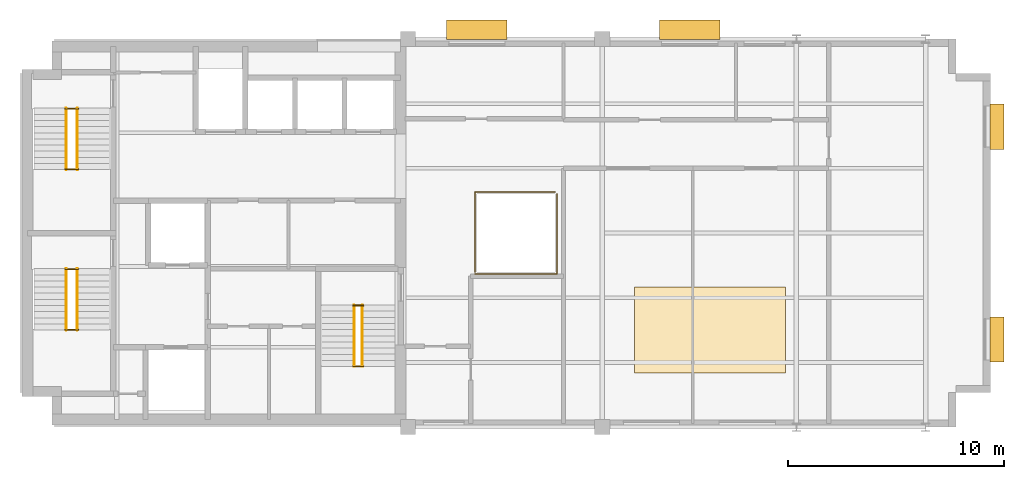
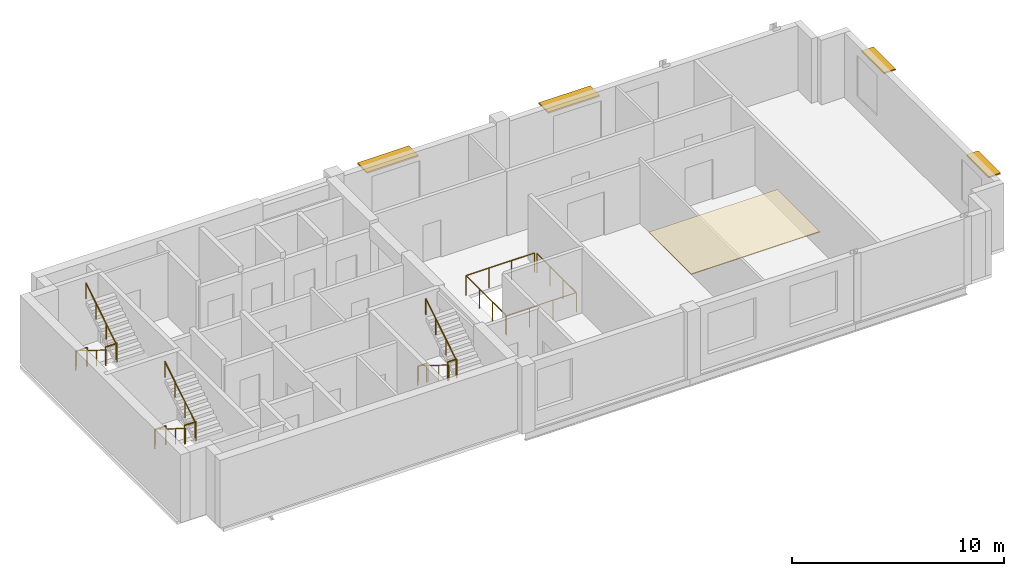
# One storey, part 5 of 5: 14 railings, 4 shading devices, 1 covering.
"""IFC4 building model written with IfcOpenShell, lengths in metres."""

from ifc_helpers import new_model, si_unit, direction, frame, origin, origin_2d, place, context, subcontext, project, spatial, polyline, rectangle, circle, outline, extrude, material, layer, layer_set, type_object, element, save


model = new_model("IFC4")

# Units and contexts
model_context = context("Model", 3, precision=1e-05, world=origin(), true_north=direction((0.0, 1.0)))
body_context = subcontext(model_context, "Body", "Model", "MODEL_VIEW")
ifc_project = project(units=[si_unit("LENGTHUNIT", "METRE"), si_unit("AREAUNIT", "SQUARE_METRE"), si_unit("VOLUMEUNIT", "CUBIC_METRE"), si_unit("PLANEANGLEUNIT", "RADIAN"), si_unit("MASSUNIT", "GRAM", prefix="KILO")], contexts=[model_context])

# Site, building, storey
site_placement = place(None, origin())
site = spatial("IfcSite", under=ifc_project, at=site_placement, CompositionType="ELEMENT")
building_placement = place(site_placement, origin())
building = spatial("IfcBuilding", under=site, at=building_placement, Name="Mawjdan Bourse Tower", CompositionType="ELEMENT")
storey_placement = place(building_placement, frame((0.0, 0.0, 301.5)))
storey = spatial("IfcBuildingStorey", under=building, at=storey_placement, Name="L74", CompositionType="ELEMENT", Elevation=301.5)

# Covering
ifc_material_1 = material(Name="Perforated Mineral-Fibre Acoustic Ceiling")
ifc_layer_1 = layer(ifc_material_1, 0.044921875)
ifc_layer_set_1 = layer_set([ifc_layer_1], Name="Perforated Mineral-Fibre Acoustic Ceiling")
covering_type = type_object("IfcCoveringType", Name="COV-CLG-AC", PredefinedType="CEILING", material=ifc_layer_set_1)
covering_placement = place(storey_placement, frame((0.0, 0.0, 3.669921875)))
element("IfcCovering", 1, at=covering_placement, inside=storey, type_object=covering_type, Name="L74 Suspended Acoustic Ceiling", PredefinedType="CEILING", context=body_context, shape_type="SweptSolid", body=[
    extrude(outline(polyline([(34.5, 5.5), (41.5, 5.5), (41.5, 9.5), (34.5, 9.5), (34.5, 5.5)])), origin(), (0.0, 0.0, 1.0), 0.045166015625),
])

# Railings
ifc_material_2 = material(Name="Stainless Steel and Laminated Glass", Category="steel")
railing_type_1 = type_object("IfcRailingType", Name="RLG-BAL-1150", PredefinedType="BALUSTRADE", material=ifc_material_2)
railing_1_placement = place(storey_placement, frame((27.10009765625, 10.10009765625, 0.0)))
element("IfcRailing", 2, at=railing_1_placement, inside=storey, type_object=railing_type_1, Name="L74 Summit Atrium Lightwell Balustrade SE", PredefinedType="BALUSTRADE", context=body_context, shape_type="SweptSolid", body=[
    extrude(circle(Radius=0.02685546875, at=origin_2d()), frame((0.0, 0.0, 1.123046875), z_axis=(1.0, 0.0, 0.0), x_axis=(0.0, 1.0, 0.0)), (0.0, 0.0, 1.0), 3.7998046875),
    extrude(circle(Radius=0.02685546875, at=origin_2d()), frame((3.7998046875, 0.0, 1.123046875), z_axis=(0.0, 1.0, 0.0), x_axis=(-1.0, 0.0, 0.0)), (0.0, 0.0, 1.0), 3.719970703125),
    extrude(circle(Radius=0.02294921875, at=origin_2d()), origin(), (0.0, 0.0, 1.0), 1.095947265625),
    extrude(circle(Radius=0.02294921875, at=origin_2d()), frame((1.2666015625, 0.0, 0.0)), (0.0, 0.0, 1.0), 1.095947265625),
    extrude(circle(Radius=0.02294921875, at=origin_2d()), frame((2.533203125, 0.0, 0.0)), (0.0, 0.0, 1.0), 1.095947265625),
    extrude(circle(Radius=0.02294921875, at=origin_2d()), frame((3.7998046875, 0.0, 0.0)), (0.0, 0.0, 1.0), 1.095947265625),
    extrude(circle(Radius=0.02294921875, at=origin_2d()), frame((3.7998046875, 1.239990234375, 0.0)), (0.0, 0.0, 1.0), 1.095947265625),
    extrude(circle(Radius=0.02294921875, at=origin_2d()), frame((3.7998046875, 2.47998046875, 0.0)), (0.0, 0.0, 1.0), 1.095947265625),
    extrude(circle(Radius=0.02294921875, at=origin_2d()), frame((3.7998046875, 3.719970703125, 0.0)), (0.0, 0.0, 1.0), 1.095947265625),
])
railing_2_placement = place(storey_placement, frame((30.820068359375, 13.89990234375, 0.0)))
element("IfcRailing", 3, at=railing_2_placement, inside=storey, type_object=railing_type_1, Name="L74 Summit Atrium Lightwell Balustrade NW", PredefinedType="BALUSTRADE", context=body_context, shape_type="SweptSolid", body=[
    extrude(circle(Radius=0.02685546875, at=origin_2d()), frame((0.0, 0.0, 1.123046875), z_axis=(-1.0, 0.0, 0.0), x_axis=(0.0, -1.0, 0.0)), (0.0, 0.0, 1.0), 3.719970703125),
    extrude(circle(Radius=0.02685546875, at=origin_2d()), frame((-3.719970703125, 0.0, 1.123046875), z_axis=(0.0, -1.0, 0.0), x_axis=(1.0, 0.0, 0.0)), (0.0, 0.0, 1.0), 3.719970703125),
    extrude(circle(Radius=0.02294921875, at=origin_2d()), origin(), (0.0, 0.0, 1.0), 1.095947265625),
    extrude(circle(Radius=0.02294921875, at=origin_2d()), frame((-1.239990234375, 0.0, 0.0)), (0.0, 0.0, 1.0), 1.095947265625),
    extrude(circle(Radius=0.02294921875, at=origin_2d()), frame((-2.47998046875, 0.0, 0.0)), (0.0, 0.0, 1.0), 1.095947265625),
    extrude(circle(Radius=0.02294921875, at=origin_2d()), frame((-3.719970703125, 0.0, 0.0)), (0.0, 0.0, 1.0), 1.095947265625),
    extrude(circle(Radius=0.02294921875, at=origin_2d()), frame((-3.719970703125, -1.239990234375, 0.0)), (0.0, 0.0, 1.0), 1.095947265625),
    extrude(circle(Radius=0.02294921875, at=origin_2d()), frame((-3.719970703125, -2.47998046875, 0.0)), (0.0, 0.0, 1.0), 1.095947265625),
    extrude(circle(Radius=0.02294921875, at=origin_2d()), frame((-3.719970703125, -3.719970703125, 0.0)), (0.0, 0.0, 1.0), 1.095947265625),
])
ifc_material_3 = material(Name="Structural Steel S355", Category="steel")
railing_type_2 = type_object("IfcRailingType", Name="RLG-GRD-1100", PredefinedType="GUARDRAIL", material=ifc_material_3)
for number, where, name in (
    (4, (8.090087890625, 7.52001953125, 1.949951171875), "L74 ST1 Landing Guardrail GL-MID"),
    (5, (8.090087890625, 10.330078125, 0.0), "L74 ST1 Landing Guardrail GL-BOT"),
    (6, (8.090087890625, 14.9599609375, 1.949951171875), "L74 ST2 Landing Guardrail GL-MID"),
    (7, (8.090087890625, 17.77001953125, 0.0), "L74 ST2 Landing Guardrail GL-BOT"),
):
    element("IfcRailing", number, at=place(storey_placement, frame(where)), inside=storey, type_object=railing_type_2, Name=name, PredefinedType="GUARDRAIL", context=body_context, shape_type="SweptSolid", body=[
        extrude(circle(Radius=0.02490234375, at=origin_2d()), frame((0.0, 0.0, 1.0751953125), z_axis=(1.0, 0.0, 0.0), x_axis=(0.0, 1.0, 0.0)), (0.0, 0.0, 1.0), 0.619873046875),
        extrude(circle(Radius=0.02099609375, at=origin_2d()), origin(), (0.0, 0.0, 1.0), 1.050048828125),
        extrude(circle(Radius=0.02099609375, at=origin_2d()), frame((0.619873046875, 0.0, 0.0)), (0.0, 0.0, 1.0), 1.050048828125),
    ])
for number, where, name in (
    (8, (21.43994140625, 5.830078125, 1.949951171875), "L74 ST7 Landing Guardrail GL-MID"),
    (9, (21.43994140625, 8.639892578125, 0.0), "L74 ST7 Landing Guardrail GL-BOT"),
):
    element("IfcRailing", number, at=place(storey_placement, frame(where)), inside=storey, type_object=railing_type_2, Name=name, PredefinedType="GUARDRAIL", context=body_context, shape_type="SweptSolid", body=[
        extrude(circle(Radius=0.02490234375, at=origin_2d()), frame((0.0, 0.0, 1.0751953125), z_axis=(1.0, 0.0, 0.0), x_axis=(0.0, 1.0, 0.0)), (0.0, 0.0, 1.0), 0.489990234375),
        extrude(circle(Radius=0.02099609375, at=origin_2d()), origin(), (0.0, 0.0, 1.0), 1.050048828125),
        extrude(circle(Radius=0.02099609375, at=origin_2d()), frame((0.489990234375, 0.0, 0.0)), (0.0, 0.0, 1.0), 1.050048828125),
    ])
ifc_material_4 = material(Name="Brushed Stainless Steel", Category="steel")
railing_type_3 = type_object("IfcRailingType", Name="RLG-HND-920", PredefinedType="HANDRAIL", material=ifc_material_4)
railing_3_placement = place(storey_placement, frame((8.139892578125, 10.35009765625, 0.17724609375)))
element("IfcRailing", 10, at=railing_3_placement, inside=storey, type_object=railing_type_3, Name="L74 ST1 Flight Handrail HR1", PredefinedType="HANDRAIL", context=body_context, shape_type="SweptSolid", body=[
    extrude(circle(Radius=0.0224609375, at=origin_2d()), frame((0.0, 0.0, 0.8974609375), z_axis=(0.0, -0.849148672731, 0.528153890072), x_axis=(1.0, 0.0, 0.0)), (0.0, 0.0, 1.0), 3.3564453125),
    extrude(circle(Radius=0.01904296875, at=origin_2d()), origin(), (0.0, 0.0, 1.0), 0.875),
    extrude(circle(Radius=0.01904296875, at=origin_2d()), frame((0.0, -0.949951171875, 0.5908203125)), (0.0, 0.0, 1.0), 0.875),
    extrude(circle(Radius=0.01904296875, at=origin_2d()), frame((0.0, -1.900146484375, 1.181884765625)), (0.0, 0.0, 1.0), 0.875),
    extrude(circle(Radius=0.01904296875, at=origin_2d()), frame((0.0, -2.85009765625, 1.772705078125)), (0.0, 0.0, 1.0), 0.875),
])
railing_4_placement = place(storey_placement, frame((8.659912109375, 7.5, 2.127197265625)))
element("IfcRailing", 11, at=railing_4_placement, inside=storey, type_object=railing_type_3, Name="L74 ST1 Flight Handrail HR2", PredefinedType="HANDRAIL", context=body_context, shape_type="SweptSolid", body=[
    extrude(circle(Radius=0.0224609375, at=origin_2d()), frame((0.0, 0.0, 0.8974609375), z_axis=(0.0, 0.849148672731, 0.528153890072), x_axis=(-1.0, 0.0, 0.0)), (0.0, 0.0, 1.0), 3.3564453125),
    extrude(circle(Radius=0.01904296875, at=origin_2d()), origin(), (0.0, 0.0, 1.0), 0.875),
    extrude(circle(Radius=0.01904296875, at=origin_2d()), frame((0.0, 0.949951171875, 0.5908203125)), (0.0, 0.0, 1.0), 0.875),
    extrude(circle(Radius=0.01904296875, at=origin_2d()), frame((0.0, 1.900146484375, 1.181884765625)), (0.0, 0.0, 1.0), 0.875),
    extrude(circle(Radius=0.01904296875, at=origin_2d()), frame((0.0, 2.85009765625, 1.772705078125)), (0.0, 0.0, 1.0), 0.875),
])
railing_5_placement = place(storey_placement, frame((8.139892578125, 17.7900390625, 0.17724609375)))
element("IfcRailing", 12, at=railing_5_placement, inside=storey, type_object=railing_type_3, Name="L74 ST2 Flight Handrail HR1", PredefinedType="HANDRAIL", context=body_context, shape_type="SweptSolid", body=[
    extrude(circle(Radius=0.0224609375, at=origin_2d()), frame((0.0, 0.0, 0.8974609375), z_axis=(0.0, -0.849148672731, 0.528153890072), x_axis=(1.0, 0.0, 0.0)), (0.0, 0.0, 1.0), 3.3564453125),
    extrude(circle(Radius=0.01904296875, at=origin_2d()), origin(), (0.0, 0.0, 1.0), 0.875),
    extrude(circle(Radius=0.01904296875, at=origin_2d()), frame((0.0, -0.949951171875, 0.5908203125)), (0.0, 0.0, 1.0), 0.875),
    extrude(circle(Radius=0.01904296875, at=origin_2d()), frame((0.0, -1.900146484375, 1.181884765625)), (0.0, 0.0, 1.0), 0.875),
    extrude(circle(Radius=0.01904296875, at=origin_2d()), frame((0.0, -2.85009765625, 1.772705078125)), (0.0, 0.0, 1.0), 0.875),
])
railing_6_placement = place(storey_placement, frame((8.659912109375, 14.93994140625, 2.127197265625)))
element("IfcRailing", 13, at=railing_6_placement, inside=storey, type_object=railing_type_3, Name="L74 ST2 Flight Handrail HR2", PredefinedType="HANDRAIL", context=body_context, shape_type="SweptSolid", body=[
    extrude(circle(Radius=0.0224609375, at=origin_2d()), frame((0.0, 0.0, 0.8974609375), z_axis=(0.0, 0.849148672731, 0.528153890072), x_axis=(-1.0, 0.0, 0.0)), (0.0, 0.0, 1.0), 3.3564453125),
    extrude(circle(Radius=0.01904296875, at=origin_2d()), origin(), (0.0, 0.0, 1.0), 0.875),
    extrude(circle(Radius=0.01904296875, at=origin_2d()), frame((0.0, 0.949951171875, 0.5908203125)), (0.0, 0.0, 1.0), 0.875),
    extrude(circle(Radius=0.01904296875, at=origin_2d()), frame((0.0, 1.900146484375, 1.181884765625)), (0.0, 0.0, 1.0), 0.875),
    extrude(circle(Radius=0.01904296875, at=origin_2d()), frame((0.0, 2.85009765625, 1.772705078125)), (0.0, 0.0, 1.0), 0.875),
])
railing_7_placement = place(storey_placement, frame((21.489990234375, 8.659912109375, 0.17724609375)))
element("IfcRailing", 14, at=railing_7_placement, inside=storey, type_object=railing_type_3, Name="L74 ST7 Flight Handrail HR1", PredefinedType="HANDRAIL", context=body_context, shape_type="SweptSolid", body=[
    extrude(circle(Radius=0.0224609375, at=origin_2d()), frame((0.0, 0.0, 0.8974609375), z_axis=(0.0, -0.849128380713, 0.528186513523), x_axis=(1.0, 0.0, 0.0)), (0.0, 0.0, 1.0), 3.356201171875),
    extrude(circle(Radius=0.01904296875, at=origin_2d()), origin(), (0.0, 0.0, 1.0), 0.875),
    extrude(circle(Radius=0.01904296875, at=origin_2d()), frame((0.0, -0.949951171875, 0.5908203125)), (0.0, 0.0, 1.0), 0.875),
    extrude(circle(Radius=0.01904296875, at=origin_2d()), frame((0.0, -1.89990234375, 1.181884765625)), (0.0, 0.0, 1.0), 0.875),
    extrude(circle(Radius=0.01904296875, at=origin_2d()), frame((0.0, -2.849853515625, 1.772705078125)), (0.0, 0.0, 1.0), 0.875),
])
railing_8_placement = place(storey_placement, frame((21.8798828125, 5.81005859375, 2.127197265625)))
element("IfcRailing", 15, at=railing_8_placement, inside=storey, type_object=railing_type_3, Name="L74 ST7 Flight Handrail HR2", PredefinedType="HANDRAIL", context=body_context, shape_type="SweptSolid", body=[
    extrude(circle(Radius=0.0224609375, at=origin_2d()), frame((0.0, 0.0, 0.8974609375), z_axis=(0.0, 0.849128380713, 0.528186513523), x_axis=(-1.0, 0.0, 0.0)), (0.0, 0.0, 1.0), 3.356201171875),
    extrude(circle(Radius=0.01904296875, at=origin_2d()), origin(), (0.0, 0.0, 1.0), 0.875),
    extrude(circle(Radius=0.01904296875, at=origin_2d()), frame((0.0, 0.949951171875, 0.5908203125)), (0.0, 0.0, 1.0), 0.875),
    extrude(circle(Radius=0.01904296875, at=origin_2d()), frame((0.0, 1.89990234375, 1.181884765625)), (0.0, 0.0, 1.0), 0.875),
    extrude(circle(Radius=0.01904296875, at=origin_2d()), frame((0.0, 2.849853515625, 1.772705078125)), (0.0, 0.0, 1.0), 0.875),
])

# Shading devices
ifc_material_5 = material(Name="Bronze Anodised Aluminium", Category="aluminium")
ifc_layer_2 = layer(ifc_material_5, 0.074951171875)
ifc_layer_set_2 = layer_set([ifc_layer_2], Name="Bronze Anodised Aluminium")
shading_device_type_1 = type_object("IfcShadingDeviceType", Name="SHD-SUN-650", PredefinedType="USERDEFINED", material=ifc_layer_set_2)
for number, where, z_axis, x_axis, name in (
    (16, (51.304931640625, 7.066650390625, 3.14990234375), (0.0, 0.0, 1.0), (0.0, 1.0, 0.0), "L74 Solar Window Hood 01"),
    (17, (51.304931640625, 16.933349609375, 3.14990234375), (0.0, 0.0, 1.0), (0.0, 1.0, 0.0), "L74 Solar Window Hood 02"),
):
    element("IfcShadingDevice", number, at=place(storey_placement, frame(where, z_axis=z_axis, x_axis=x_axis)), inside=storey, type_object=shading_device_type_1, Name=name, ObjectType="SUNSHADE", PredefinedType="USERDEFINED", context=body_context, shape_type="SweptSolid", body=[
        extrude(rectangle(XDim=2.10009765625, YDim=0.64990234375, at=origin_2d()), origin(), (0.0, 0.0, 1.0), 0.074951171875),
    ])
ifc_layer_3 = layer(ifc_material_5, 0.0849609375)
ifc_layer_set_3 = layer_set([ifc_layer_3], Name="Bronze Anodised Aluminium")
shading_device_type_2 = type_object("IfcShadingDeviceType", Name="SHD-SUN-900", PredefinedType="USERDEFINED", material=ifc_layer_set_3)
for number, where, z_axis, x_axis, name in (
    (18, (37.058349609375, 21.429931640625, 3.14990234375), (0.0, 0.0, 1.0), (-1.0, 0.0, 0.0), "L74 Solar Window Hood 03"),
    (19, (27.18505859375, 21.429931640625, 3.14990234375), (0.0, 0.0, 1.0), (-1.0, 0.0, 0.0), "L74 Solar Window Hood 04"),
):
    element("IfcShadingDevice", number, at=place(storey_placement, frame(where, z_axis=z_axis, x_axis=x_axis)), inside=storey, type_object=shading_device_type_2, Name=name, ObjectType="SUNSHADE", PredefinedType="USERDEFINED", context=body_context, shape_type="SweptSolid", body=[
        extrude(rectangle(XDim=2.800048828125, YDim=0.89990234375, at=origin_2d()), origin(), (0.0, 0.0, 1.0), 0.0849609375),
    ])

save(model, "model.ifc")
